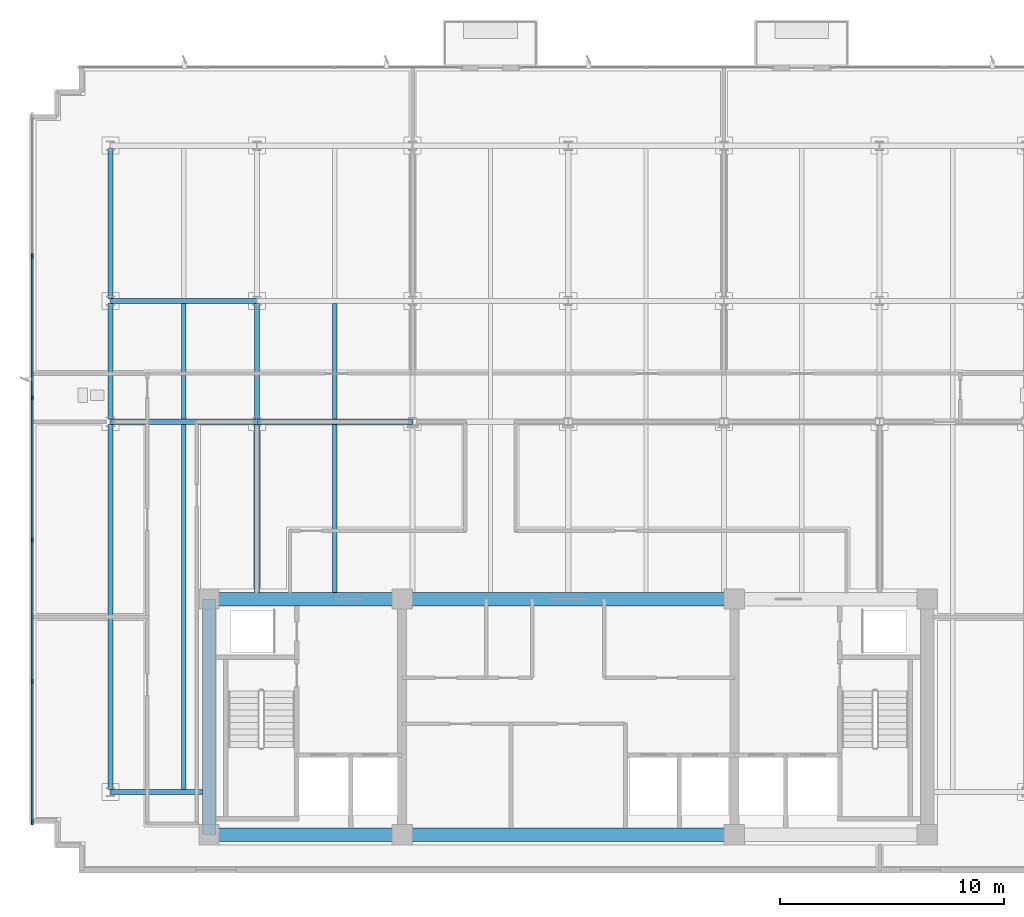
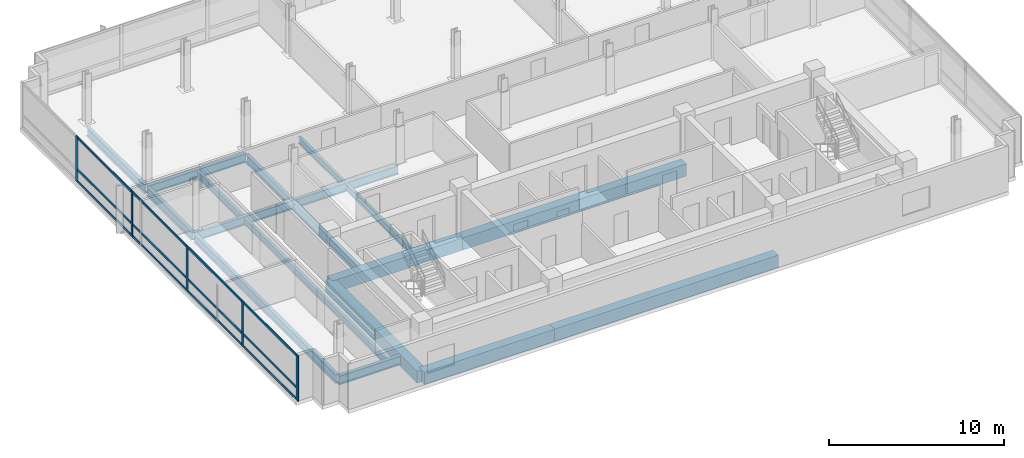
# One storey, part 2 of 15: 18 beams, 17 members, 1 element without a shape of its own.
"""IFC4 building model written with IfcOpenShell, lengths in metres."""

import ifcopenshell
import ifcopenshell.guid

model = None  # the IFC model being written
_history = None  # IfcOwnerHistory: only IFC2X3 demands one
_inside = {}  # id of a spatial element -> (the spatial element, [elements in it])
_under = {}  # id of a project, library or spatial element -> (it, [spatial elements below it])
_declared = {}  # id of a project -> (the project, [libraries it declares])
_typed = {}  # id of a type object -> (the type object, [elements of that type])
_made_of = {}  # id of a material, layer set ... -> (it, [elements and type objects made of it])


def new_model(schema):
    """Start an empty IFC model of exactly this schema.

    Asked for "IFC4X3", IfcOpenShell would pick the latest addendum, in which some entities
    have other attributes; the version numbers below select the first issue.
    IFC2X3 requires an IfcOwnerHistory on every rooted entity: one is made here for all.
    """
    global model, _history
    if schema == "IFC4X3":
        model = ifcopenshell.file(schema_version=(4, 3, 0, 0))
    else:
        model = ifcopenshell.file(schema=schema)
    _inside.clear()
    _under.clear()
    _declared.clear()
    _typed.clear()
    _made_of.clear()
    _history = None
    if model.schema == "IFC2X3":
        org = make("IfcOrganization", Name="unknown")
        user = make(
            "IfcPersonAndOrganization",
            ThePerson=make("IfcPerson", FamilyName="unknown"),
            TheOrganization=org,
        )
        app = make(
            "IfcApplication",
            ApplicationDeveloper=org,
            Version="unknown",
            ApplicationFullName="unknown",
            ApplicationIdentifier="unknown",
        )
        _history = make(
            "IfcOwnerHistory",
            OwningUser=user,
            OwningApplication=app,
            ChangeAction="ADDED",
            CreationDate=0,
        )
    return model


def make(cls, **values):
    """One entity of the class cls with the attributes given. An attribute that is None is left unset."""
    return model.create_entity(
        cls, **{name: value for name, value in values.items() if value is not None}
    )


def rooted(cls, **values):
    """An entity with a GlobalId (a new one), such as an element, a storey or a relation."""
    return make(cls, GlobalId=ifcopenshell.guid.new(), OwnerHistory=_history, **values)


def si_unit(unit_type, name, prefix=None):
    """IfcSIUnit, for example si_unit("LENGTHUNIT", "METRE", prefix="MILLI")."""
    return make("IfcSIUnit", UnitType=unit_type, Prefix=prefix, Name=name)


def assignment(units):
    """IfcUnitAssignment: the units of a project."""
    return None if units is None else make("IfcUnitAssignment", Units=units)


def point(xyz):
    """IfcCartesianPoint."""
    return None if xyz is None else make("IfcCartesianPoint", Coordinates=xyz)


def direction(xyz):
    """IfcDirection."""
    return None if xyz is None else make("IfcDirection", DirectionRatios=xyz)


def frame(location, z_axis=None, x_axis=None):
    """IfcAxis2Placement3D, a coordinate frame: its origin and axes. An axis left out is left unset."""
    return make(
        "IfcAxis2Placement3D",
        Location=point(location),
        Axis=direction(z_axis),
        RefDirection=direction(x_axis),
    )


def frame_2d(location, x_axis=None):
    """IfcAxis2Placement2D, a coordinate frame in the plane: its origin and x axis."""
    return make(
        "IfcAxis2Placement2D", Location=point(location), RefDirection=direction(x_axis)
    )


def origin():
    """The frame at (0, 0, 0) with its axes left unset."""
    return frame((0.0, 0.0, 0.0))


def origin_2d():
    """The frame at (0, 0) in the plane with its x axis left unset."""
    return frame_2d((0.0, 0.0))


def place(relative_to, where):
    """IfcLocalPlacement: puts the frame where relative to a parent placement (None: the world)."""
    return make(
        "IfcLocalPlacement", PlacementRelTo=relative_to, RelativePlacement=where
    )


def context(
    kind, dimensions, precision=None, world=None, true_north=None, identifier=None
):
    """IfcGeometricRepresentationContext, for example the 3D "Model" context."""
    return make(
        "IfcGeometricRepresentationContext",
        ContextIdentifier=identifier,
        ContextType=kind,
        CoordinateSpaceDimension=dimensions,
        Precision=precision,
        WorldCoordinateSystem=world,
        TrueNorth=true_north,
    )


def subcontext(parent, identifier, kind, view, scale=None):
    """IfcGeometricRepresentationSubContext, for example "Body" below "Model"."""
    return make(
        "IfcGeometricRepresentationSubContext",
        ContextIdentifier=identifier,
        ContextType=kind,
        ParentContext=parent,
        TargetScale=scale,
        TargetView=view,
    )


def project(units=None, contexts=None):
    """IfcProject with its units and contexts."""
    return rooted(
        "IfcProject",
        Name="project",
        RepresentationContexts=contexts,
        UnitsInContext=assignment(units),
    )


def spatial(cls, under=None, at=None, **own):
    """A site, building, storey or space (cls), placed at a placement, below another one or the project."""
    s = rooted(cls, ObjectPlacement=at, **own)
    if under is not None:
        _under.setdefault(under.id(), (under, []))[1].append(s)
    return s


def profile(cls, at=None, kind="AREA", **sizes):
    """A parametric profile (cls). Its sizes go by their IFC names, for example OverallWidth=200.0."""
    return make(cls, ProfileType=kind, Position=at, **sizes)


def rectangle(**sizes):
    """IfcRectangleProfileDef."""
    return profile("IfcRectangleProfileDef", **sizes)


def i_section(**sizes):
    """IfcIShapeProfileDef."""
    return profile("IfcIShapeProfileDef", **sizes)


def extrude(swept, where, along, depth):
    """IfcExtrudedAreaSolid: the profile swept, set in the frame where, extruded along a direction by depth."""
    return make(
        "IfcExtrudedAreaSolid",
        SweptArea=swept,
        Position=where,
        ExtrudedDirection=direction(along),
        Depth=depth,
    )


def shape(context_of_items, identifier, shape_type, items):
    """IfcShapeRepresentation: the items that make up one representation, for example the "Body"."""
    return make(
        "IfcShapeRepresentation",
        ContextOfItems=context_of_items,
        RepresentationIdentifier=identifier,
        RepresentationType=shape_type,
        Items=items,
    )


def material(Name=None, Category=None):
    """IfcMaterial."""
    return make("IfcMaterial", Name=Name, Category=Category)


def material_profile(
    of_material, cross_section, Name=None, Category=None, Priority=None
):
    """IfcMaterialProfile: a cross section and its material."""
    return make(
        "IfcMaterialProfile",
        Name=Name,
        Material=of_material,
        Profile=cross_section,
        Priority=Priority,
        Category=Category,
    )


def profile_set(profiles, Name=None, composite=None):
    """IfcMaterialProfileSet."""
    return make(
        "IfcMaterialProfileSet",
        Name=Name,
        MaterialProfiles=profiles,
        CompositeProfile=composite,
    )


def made_of(thing, what):
    """Note that an element or type object is made of a material, layer set ...; save() writes the relation."""
    if what is not None:
        _made_of.setdefault(what.id(), (what, []))[1].append(thing)
    return thing


def type_object(cls, material=None, **own):
    """A type object (cls), such as IfcWallType, which elements share."""
    return made_of(rooted(cls, **own), material)


def element(
    cls,
    number,
    at=None,
    inside=None,
    cuts=None,
    type_object=None,
    material=None,
    context=None,
    identifier="Body",
    shape_type=None,
    held_by="IfcProductDefinitionShape",
    body=None,
    shapes=None,
    **own,
):
    """One element of the class cls, such as IfcWall. Its Tag is "e" and its number.

    at: its placement. inside: the storey or other place that contains it. cuts: it is an
    opening in that element (IfcRelVoidsElement). A single representation is given by context,
    identifier, shape_type and body (its items); several are given by shapes. held_by: the class
    of the entity that holds the representations. save() writes the other relations.
    """
    e = rooted(cls, Tag="e%d" % number, ObjectPlacement=at, **own)
    if body is not None:
        shapes = [shape(context, identifier, shape_type, body)]
    if shapes is not None:
        e.Representation = make(held_by, Representations=shapes)
    if inside is not None:
        _inside.setdefault(inside.id(), (inside, []))[1].append(e)
    if cuts is not None:
        rooted(
            "IfcRelVoidsElement", RelatingBuildingElement=cuts, RelatedOpeningElement=e
        )
    if type_object is not None:
        _typed.setdefault(type_object.id(), (type_object, []))[1].append(e)
    return made_of(e, material)


def aggregate(whole, parts):
    """IfcRelAggregates: a whole, such as a stair, and the parts it consists of."""
    return rooted("IfcRelAggregates", RelatingObject=whole, RelatedObjects=parts)


def save(model, path):
    """Write the relations noted so far, then the file.

    IfcRelAggregates (storeys below a building ...), IfcRelContainedInSpatialStructure (elements
    in a storey), IfcRelDefinesByType, IfcRelAssociatesMaterial and IfcRelDeclares: one each for
    every whole, place, type object, material and project.
    """
    for whole, parts in _under.values():
        aggregate(whole, parts)
    for where, things in _inside.values():
        rooted(
            "IfcRelContainedInSpatialStructure",
            RelatedElements=things,
            RelatingStructure=where,
        )
    for kind, things in _typed.values():
        rooted("IfcRelDefinesByType", RelatedObjects=things, RelatingType=kind)
    for what, things in _made_of.values():
        rooted("IfcRelAssociatesMaterial", RelatedObjects=things, RelatingMaterial=what)
    for by, libraries in _declared.values():
        rooted("IfcRelDeclares", RelatingContext=by, RelatedDefinitions=libraries)
    model.write(path)


model = new_model("IFC4")

# Units and contexts
model_context = context("Model", 3, precision=1e-05, world=origin(), true_north=direction((0.0, 1.0)))
body_context = subcontext(model_context, "Body", "Model", "MODEL_VIEW")
ifc_project = project(units=[si_unit("LENGTHUNIT", "METRE"), si_unit("AREAUNIT", "SQUARE_METRE"), si_unit("VOLUMEUNIT", "CUBIC_METRE"), si_unit("PLANEANGLEUNIT", "RADIAN"), si_unit("MASSUNIT", "GRAM", prefix="KILO")], contexts=[model_context])

# Site, building, storey
site_placement = place(None, origin())
site = spatial("IfcSite", under=ifc_project, at=site_placement, CompositionType="ELEMENT")
building_placement = place(site_placement, origin())
building = spatial("IfcBuilding", under=site, at=building_placement, Name="Solmavex Isthmus Hotel", CompositionType="ELEMENT")
storey_placement = place(building_placement, frame((0.0, 0.0, 273.0)))
storey = spatial("IfcBuildingStorey", under=building, at=storey_placement, Name="L74", CompositionType="ELEMENT", Elevation=273.0)

# Beams
ifc_material_1 = material(Name="Steel ASTM A992 Grade 50", Category="steel")
ifc_material_profile_1 = material_profile(ifc_material_1, i_section(OverallWidth=0.1904296875, OverallDepth=0.456787109375, WebThickness=0.009033203125, FlangeThickness=0.014404296875, FilletRadius=0.0126953125, at=origin_2d()), Name="W18X50")
ifc_profile_set_1 = profile_set([ifc_material_profile_1], Name="Steel ASTM A992 Grade 50")
beam_type_1 = type_object("IfcBeamType", Name="BM-BJ-W18X50", PredefinedType="JOIST", material=ifc_profile_set_1)
beam_1_placement = place(storey_placement, frame((-17.135986328125, -10.98486328125, -0.488525390625), z_axis=(0.0, 1.0, 0.0), x_axis=(-1.0, 0.0, 0.0)))
element("IfcBeam", 1, at=beam_1_placement, inside=storey, type_object=beam_type_1, Name="Secondary Floor Joist L74-J01", PredefinedType="JOIST", context=body_context, shape_type="SweptSolid", body=[
    extrude(i_section(OverallWidth=0.1904296875, OverallDepth=0.456787109375, WebThickness=0.009033203125, FlangeThickness=0.014404296875, FilletRadius=0.0126953125, at=origin_2d()), origin(), (0.0, 0.0, 1.0), 16.27099609375),
])
beam_2_placement = place(storey_placement, frame((-17.135986328125, 5.513916015625, -0.488525390625), z_axis=(0.0, 1.0, 0.0), x_axis=(-1.0, 0.0, 0.0)))
element("IfcBeam", 2, at=beam_2_placement, inside=storey, type_object=beam_type_1, Name="Secondary Floor Joist L74-J02", PredefinedType="JOIST", context=body_context, shape_type="SweptSolid", body=[
    extrude(i_section(OverallWidth=0.1904296875, OverallDepth=0.456787109375, WebThickness=0.009033203125, FlangeThickness=0.014404296875, FilletRadius=0.0126953125, at=origin_2d()), origin(), (0.0, 0.0, 1.0), 5.16015625),
])
beam_3_placement = place(storey_placement, frame((-10.404052734375, -2.199951171875, -0.488525390625), z_axis=(0.0, 1.0, 0.0), x_axis=(-1.0, 0.0, 0.0)))
element("IfcBeam", 3, at=beam_3_placement, inside=storey, type_object=beam_type_1, Name="Secondary Floor Joist L74-J04", PredefinedType="JOIST", context=body_context, shape_type="SweptSolid", body=[
    extrude(i_section(OverallWidth=0.1904296875, OverallDepth=0.456787109375, WebThickness=0.009033203125, FlangeThickness=0.014404296875, FilletRadius=0.0126953125, at=origin_2d()), origin(), (0.0, 0.0, 1.0), 7.486083984375),
])
beam_4_placement = place(storey_placement, frame((-10.404052734375, 5.513916015625, -0.488525390625), z_axis=(0.0, 1.0, 0.0), x_axis=(-1.0, 0.0, 0.0)))
element("IfcBeam", 4, at=beam_4_placement, inside=storey, type_object=beam_type_1, Name="Secondary Floor Joist L74-J05", PredefinedType="JOIST", context=body_context, shape_type="SweptSolid", body=[
    extrude(i_section(OverallWidth=0.1904296875, OverallDepth=0.456787109375, WebThickness=0.009033203125, FlangeThickness=0.014404296875, FilletRadius=0.0126953125, at=origin_2d()), origin(), (0.0, 0.0, 1.0), 5.16015625),
])
ifc_material_profile_2 = material_profile(ifc_material_1, i_section(OverallWidth=0.227783203125, OverallDepth=0.602783203125, WebThickness=0.010498046875, FlangeThickness=0.014892578125, FilletRadius=0.01513671875, at=origin_2d()), Name="W24X68")
ifc_profile_set_2 = profile_set([ifc_material_profile_2], Name="Steel ASTM A992 Grade 50")
beam_type_2 = type_object("IfcBeamType", Name="BM-BM-W24X68", PredefinedType="BEAM", material=ifc_profile_set_2)
beam_5_placement = place(storey_placement, frame((-20.39990234375, 5.39990234375, -0.561279296875), z_axis=(1.0, 0.0, 0.0), x_axis=(0.0, 1.0, 0.0)))
element("IfcBeam", 5, at=beam_5_placement, inside=storey, type_object=beam_type_2, Name="Floor Girder L74-UG03", PredefinedType="BEAM", context=body_context, shape_type="SweptSolid", body=[
    extrude(i_section(OverallWidth=0.227783203125, OverallDepth=0.602783203125, WebThickness=0.010498046875, FlangeThickness=0.014892578125, FilletRadius=0.01513671875, at=origin_2d()), origin(), (0.0, 0.0, 1.0), 6.52783203125),
])
beam_6_placement = place(storey_placement, frame((-13.8720703125, 5.39990234375, -0.561279296875), z_axis=(1.0, 0.0, 0.0), x_axis=(0.0, 1.0, 0.0)))
element("IfcBeam", 6, at=beam_6_placement, inside=storey, type_object=beam_type_2, Name="Floor Girder L74-UG04", PredefinedType="BEAM", context=body_context, shape_type="SweptSolid", body=[
    extrude(i_section(OverallWidth=0.227783203125, OverallDepth=0.602783203125, WebThickness=0.010498046875, FlangeThickness=0.014892578125, FilletRadius=0.01513671875, at=origin_2d()), origin(), (0.0, 0.0, 1.0), 6.93603515625),
])
beam_7_placement = place(storey_placement, frame((-20.39990234375, 10.7880859375, -0.561279296875), z_axis=(1.0, 0.0, 0.0), x_axis=(0.0, 1.0, 0.0)))
element("IfcBeam", 7, at=beam_7_placement, inside=storey, type_object=beam_type_2, Name="Floor Girder L74-UG09", PredefinedType="BEAM", context=body_context, shape_type="SweptSolid", body=[
    extrude(i_section(OverallWidth=0.227783203125, OverallDepth=0.602783203125, WebThickness=0.010498046875, FlangeThickness=0.014892578125, FilletRadius=0.01513671875, at=origin_2d()), origin(), (0.0, 0.0, 1.0), 6.52783203125),
])
beam_8_placement = place(storey_placement, frame((-13.8720703125, -2.199951171875, -0.561279296875), z_axis=(0.0, 1.0, 0.0), x_axis=(-1.0, 0.0, 0.0)))
element("IfcBeam", 8, at=beam_8_placement, inside=storey, type_object=beam_type_2, Name="Floor Beam L74-VG24", PredefinedType="BEAM", context=body_context, shape_type="SweptSolid", body=[
    extrude(i_section(OverallWidth=0.227783203125, OverallDepth=0.602783203125, WebThickness=0.010498046875, FlangeThickness=0.014892578125, FilletRadius=0.01513671875, at=origin_2d()), origin(), (0.0, 0.0, 1.0), 7.486083984375),
])
beam_9_placement = place(storey_placement, frame((-13.8720703125, 5.513916015625, -0.561279296875), z_axis=(0.0, 1.0, 0.0), x_axis=(-1.0, 0.0, 0.0)))
element("IfcBeam", 9, at=beam_9_placement, inside=storey, type_object=beam_type_2, Name="Floor Beam L74-VG25", PredefinedType="BEAM", context=body_context, shape_type="SweptSolid", body=[
    extrude(i_section(OverallWidth=0.227783203125, OverallDepth=0.602783203125, WebThickness=0.010498046875, FlangeThickness=0.014892578125, FilletRadius=0.01513671875, at=origin_2d()), origin(), (0.0, 0.0, 1.0), 5.16015625),
])
ifc_material_2 = material(Name="Concrete C50/60", Category="concrete")
ifc_material_profile_3 = material_profile(ifc_material_2, rectangle(XDim=0.60009765625, YDim=0.85009765625, at=origin_2d()), Name="RC600X850")
ifc_profile_set_3 = profile_set([ifc_material_profile_3], Name="Concrete C50/60")
beam_type_3 = type_object("IfcBeamType", Name="BM-CB-600X850", PredefinedType="BEAM", material=ifc_profile_set_3)
beam_10_placement = place(storey_placement, frame((-16.0, -13.0, -0.68505859375), z_axis=(1.0, 0.0, 0.0), x_axis=(0.0, 1.0, 0.0)))
element("IfcBeam", 10, at=beam_10_placement, inside=storey, type_object=beam_type_3, Name="Core Coupling Beam L74-CB1", PredefinedType="BEAM", context=body_context, shape_type="SweptSolid", body=[
    extrude(rectangle(XDim=0.60009765625, YDim=0.85009765625, at=origin_2d()), origin(), (0.0, 0.0, 1.0), 8.60009765625),
])
beam_11_placement = place(storey_placement, frame((-7.39990234375, -13.0, -0.68505859375), z_axis=(1.0, 0.0, 0.0), x_axis=(0.0, 1.0, 0.0)))
element("IfcBeam", 11, at=beam_11_placement, inside=storey, type_object=beam_type_3, Name="Core Coupling Beam L74-CB2", PredefinedType="BEAM", context=body_context, shape_type="SweptSolid", body=[
    extrude(rectangle(XDim=0.60009765625, YDim=0.85009765625, at=origin_2d()), origin(), (0.0, 0.0, 1.0), 14.7998046875),
])
beam_12_placement = place(storey_placement, frame((-16.0, -2.5, -0.68505859375), z_axis=(1.0, 0.0, 0.0), x_axis=(0.0, 1.0, 0.0)))
element("IfcBeam", 12, at=beam_12_placement, inside=storey, type_object=beam_type_3, Name="Core Coupling Beam L74-CB4", PredefinedType="BEAM", context=body_context, shape_type="SweptSolid", body=[
    extrude(rectangle(XDim=0.60009765625, YDim=0.85009765625, at=origin_2d()), origin(), (0.0, 0.0, 1.0), 8.60009765625),
])
beam_13_placement = place(storey_placement, frame((-7.39990234375, -2.5, -0.68505859375), z_axis=(1.0, 0.0, 0.0), x_axis=(0.0, 1.0, 0.0)))
element("IfcBeam", 13, at=beam_13_placement, inside=storey, type_object=beam_type_3, Name="Core Coupling Beam L74-CB5", PredefinedType="BEAM", context=body_context, shape_type="SweptSolid", body=[
    extrude(rectangle(XDim=0.60009765625, YDim=0.85009765625, at=origin_2d()), origin(), (0.0, 0.0, 1.0), 14.7998046875),
])
beam_14_placement = place(storey_placement, frame((-16.0, -13.0, -0.68505859375), z_axis=(0.0, 1.0, 0.0), x_axis=(-1.0, 0.0, 0.0)))
element("IfcBeam", 14, at=beam_14_placement, inside=storey, type_object=beam_type_3, Name="Core Coupling Beam L74-CB7", PredefinedType="BEAM", context=body_context, shape_type="SweptSolid", body=[
    extrude(rectangle(XDim=0.60009765625, YDim=0.85009765625, at=origin_2d()), origin(), (0.0, 0.0, 1.0), 10.5),
])
ifc_material_profile_4 = material_profile(ifc_material_1, i_section(OverallWidth=0.230224609375, OverallDepth=0.617431640625, WebThickness=0.01318359375, FlangeThickness=0.022216796875, FilletRadius=0.01513671875, at=origin_2d()), Name="W24X94")
ifc_profile_set_4 = profile_set([ifc_material_profile_4], Name="Steel ASTM A992 Grade 50")
beam_type_4 = type_object("IfcBeamType", Name="BM-SP-W24X94", PredefinedType="SPANDREL", material=ifc_profile_set_4)
beam_15_placement = place(storey_placement, frame((-20.39990234375, -11.10009765625, -0.56884765625), z_axis=(1.0, 0.0, 0.0), x_axis=(0.0, 1.0, 0.0)))
element("IfcBeam", 15, at=beam_15_placement, inside=storey, type_object=beam_type_4, Name="Floor Girder L74-UG01", PredefinedType="SPANDREL", context=body_context, shape_type="SweptSolid", body=[
    extrude(i_section(OverallWidth=0.230224609375, OverallDepth=0.617431640625, WebThickness=0.01318359375, FlangeThickness=0.022216796875, FilletRadius=0.01513671875, at=origin_2d()), origin(), (0.0, 0.0, 1.0), 4.099853515625),
])
beam_16_placement = place(storey_placement, frame((-20.39990234375, -10.98486328125, -0.56884765625), z_axis=(0.0, 1.0, 0.0), x_axis=(-1.0, 0.0, 0.0)))
element("IfcBeam", 16, at=beam_16_placement, inside=storey, type_object=beam_type_4, Name="Floor Beam L74-VG21", PredefinedType="SPANDREL", context=body_context, shape_type="SweptSolid", body=[
    extrude(i_section(OverallWidth=0.230224609375, OverallDepth=0.617431640625, WebThickness=0.01318359375, FlangeThickness=0.022216796875, FilletRadius=0.01513671875, at=origin_2d()), origin(), (0.0, 0.0, 1.0), 16.27099609375),
])
beam_17_placement = place(storey_placement, frame((-20.39990234375, 5.513916015625, -0.56884765625), z_axis=(0.0, 1.0, 0.0), x_axis=(-1.0, 0.0, 0.0)))
element("IfcBeam", 17, at=beam_17_placement, inside=storey, type_object=beam_type_4, Name="Floor Beam L74-VG22", PredefinedType="SPANDREL", context=body_context, shape_type="SweptSolid", body=[
    extrude(i_section(OverallWidth=0.230224609375, OverallDepth=0.617431640625, WebThickness=0.01318359375, FlangeThickness=0.022216796875, FilletRadius=0.01513671875, at=origin_2d()), origin(), (0.0, 0.0, 1.0), 5.16015625),
])
beam_18_placement = place(storey_placement, frame((-20.39990234375, 10.90185546875, -0.56884765625), z_axis=(0.0, 1.0, 0.0), x_axis=(-1.0, 0.0, 0.0)))
element("IfcBeam", 18, at=beam_18_placement, inside=storey, type_object=beam_type_4, Name="Floor Beam L74-VG23", PredefinedType="SPANDREL", context=body_context, shape_type="SweptSolid", body=[
    extrude(i_section(OverallWidth=0.230224609375, OverallDepth=0.617431640625, WebThickness=0.01318359375, FlangeThickness=0.022216796875, FilletRadius=0.01513671875, at=origin_2d()), origin(), (0.0, 0.0, 1.0), 6.682861328125),
])

# Curtain wall, members
ifc_material_3 = material(Name="Aluminium alloy 6063-T6", Category="aluminium")
curtain_wall_type = type_object("IfcCurtainWallType", Name="CW-SYS-04", PredefinedType="NOTDEFINED", material=ifc_material_3)
curtain_wall_placement = place(storey_placement, origin())
curtain_wall = element("IfcCurtainWall", 19, at=curtain_wall_placement, inside=storey, type_object=curtain_wall_type, Name="Stick Curtain Wall CWL-L74-W1", PredefinedType="NOTDEFINED")
ifc_material_profile_5 = material_profile(ifc_material_3, rectangle(XDim=0.074951171875, YDim=0.199951171875, at=origin_2d()), Name="CWM-75X200")
ifc_profile_set_5 = profile_set([ifc_material_profile_5], Name="Aluminium alloy 6063-T6")
member_type_1 = type_object("IfcMemberType", Name="CW-SYS-04-MUL", PredefinedType="MULLION", material=ifc_profile_set_5)
member_1_placement = place(storey_placement, frame((-23.8798828125, -12.46240234375, 0.0), z_axis=(0.0, 0.0, 1.0), x_axis=(-1.0, 0.0, 0.0)))
member_1 = element("IfcMember", 20, at=member_1_placement, type_object=member_type_1, Name="CW-04 mullion 1", PredefinedType="MULLION", context=body_context, shape_type="SweptSolid", body=[
    extrude(rectangle(XDim=0.074951171875, YDim=0.199951171875, at=origin_2d()), origin(), (0.0, 0.0, 1.0), 3.18994140625),
])
member_2_placement = place(storey_placement, frame((-23.8798828125, -6.179931640625, 0.0), z_axis=(0.0, 0.0, 1.0), x_axis=(-1.0, 0.0, 0.0)))
member_2 = element("IfcMember", 21, at=member_2_placement, type_object=member_type_1, Name="CW-04 mullion 2", PredefinedType="MULLION", context=body_context, shape_type="SweptSolid", body=[
    extrude(rectangle(XDim=0.074951171875, YDim=0.199951171875, at=origin_2d()), origin(), (0.0, 0.0, 1.0), 3.18994140625),
])
member_3_placement = place(storey_placement, frame((-23.8798828125, 0.139892578125, 0.0), z_axis=(0.0, 0.0, 1.0), x_axis=(-1.0, 0.0, 0.0)))
member_3 = element("IfcMember", 22, at=member_3_placement, type_object=member_type_1, Name="CW-04 mullion 3", PredefinedType="MULLION", context=body_context, shape_type="SweptSolid", body=[
    extrude(rectangle(XDim=0.074951171875, YDim=0.199951171875, at=origin_2d()), origin(), (0.0, 0.0, 1.0), 3.18994140625),
])
member_4_placement = place(storey_placement, frame((-23.8798828125, 6.4599609375, 0.0), z_axis=(0.0, 0.0, 1.0), x_axis=(-1.0, 0.0, 0.0)))
member_4 = element("IfcMember", 23, at=member_4_placement, type_object=member_type_1, Name="CW-04 mullion 4", PredefinedType="MULLION", context=body_context, shape_type="SweptSolid", body=[
    extrude(rectangle(XDim=0.074951171875, YDim=0.199951171875, at=origin_2d()), origin(), (0.0, 0.0, 1.0), 3.18994140625),
])
member_5_placement = place(storey_placement, frame((-23.8798828125, 12.780029296875, 0.0), z_axis=(0.0, 0.0, 1.0), x_axis=(-1.0, 0.0, 0.0)))
member_5 = element("IfcMember", 24, at=member_5_placement, type_object=member_type_1, Name="CW-04 mullion 5", PredefinedType="MULLION", context=body_context, shape_type="SweptSolid", body=[
    extrude(rectangle(XDim=0.074951171875, YDim=0.199951171875, at=origin_2d()), origin(), (0.0, 0.0, 1.0), 3.18994140625),
])
ifc_material_profile_6 = material_profile(ifc_material_3, rectangle(XDim=0.074951171875, YDim=0.14990234375, at=origin_2d()), Name="CWT-75X150")
ifc_profile_set_6 = profile_set([ifc_material_profile_6], Name="Aluminium alloy 6063-T6")
member_type_2 = type_object("IfcMemberType", Name="CW-SYS-04-TRN", PredefinedType="USERDEFINED", material=ifc_profile_set_6)
member_6_placement = place(storey_placement, frame((-23.8798828125, -12.425048828125, 0.074951171875), z_axis=(0.0, 1.0, 0.0), x_axis=(-1.0, 0.0, 0.0)))
member_6 = element("IfcMember", 25, at=member_6_placement, type_object=member_type_2, Name="CW-04 transom 1.1", ObjectType="TRANSOM", PredefinedType="USERDEFINED", context=body_context, shape_type="SweptSolid", body=[
    extrude(rectangle(XDim=0.074951171875, YDim=0.14990234375, at=origin_2d()), origin(), (0.0, 0.0, 1.0), 6.20751953125),
])
member_7_placement = place(storey_placement, frame((-23.8798828125, -12.425048828125, 0.89990234375), z_axis=(0.0, 1.0, 0.0), x_axis=(-1.0, 0.0, 0.0)))
member_7 = element("IfcMember", 26, at=member_7_placement, type_object=member_type_2, Name="CW-04 transom 1.2", ObjectType="TRANSOM", PredefinedType="USERDEFINED", context=body_context, shape_type="SweptSolid", body=[
    extrude(rectangle(XDim=0.074951171875, YDim=0.14990234375, at=origin_2d()), origin(), (0.0, 0.0, 1.0), 6.20751953125),
])
member_8_placement = place(storey_placement, frame((-23.8798828125, -12.425048828125, 3.114990234375), z_axis=(0.0, 1.0, 0.0), x_axis=(-1.0, 0.0, 0.0)))
member_8 = element("IfcMember", 27, at=member_8_placement, type_object=member_type_2, Name="CW-04 transom 1.3", ObjectType="TRANSOM", PredefinedType="USERDEFINED", context=body_context, shape_type="SweptSolid", body=[
    extrude(rectangle(XDim=0.074951171875, YDim=0.14990234375, at=origin_2d()), origin(), (0.0, 0.0, 1.0), 6.20751953125),
])
member_9_placement = place(storey_placement, frame((-23.8798828125, -6.142578125, 0.074951171875), z_axis=(0.0, 1.0, 0.0), x_axis=(-1.0, 0.0, 0.0)))
member_9 = element("IfcMember", 28, at=member_9_placement, type_object=member_type_2, Name="CW-04 transom 2.1", ObjectType="TRANSOM", PredefinedType="USERDEFINED", context=body_context, shape_type="SweptSolid", body=[
    extrude(rectangle(XDim=0.074951171875, YDim=0.14990234375, at=origin_2d()), origin(), (0.0, 0.0, 1.0), 6.2451171875),
])
member_10_placement = place(storey_placement, frame((-23.8798828125, -6.142578125, 0.89990234375), z_axis=(0.0, 1.0, 0.0), x_axis=(-1.0, 0.0, 0.0)))
member_10 = element("IfcMember", 29, at=member_10_placement, type_object=member_type_2, Name="CW-04 transom 2.2", ObjectType="TRANSOM", PredefinedType="USERDEFINED", context=body_context, shape_type="SweptSolid", body=[
    extrude(rectangle(XDim=0.074951171875, YDim=0.14990234375, at=origin_2d()), origin(), (0.0, 0.0, 1.0), 6.2451171875),
])
member_11_placement = place(storey_placement, frame((-23.8798828125, -6.142578125, 3.114990234375), z_axis=(0.0, 1.0, 0.0), x_axis=(-1.0, 0.0, 0.0)))
member_11 = element("IfcMember", 30, at=member_11_placement, type_object=member_type_2, Name="CW-04 transom 2.3", ObjectType="TRANSOM", PredefinedType="USERDEFINED", context=body_context, shape_type="SweptSolid", body=[
    extrude(rectangle(XDim=0.074951171875, YDim=0.14990234375, at=origin_2d()), origin(), (0.0, 0.0, 1.0), 6.2451171875),
])
member_12_placement = place(storey_placement, frame((-23.8798828125, 0.177490234375, 0.074951171875), z_axis=(0.0, 1.0, 0.0), x_axis=(-1.0, 0.0, 0.0)))
member_12 = element("IfcMember", 31, at=member_12_placement, type_object=member_type_2, Name="CW-04 transom 3.1", ObjectType="TRANSOM", PredefinedType="USERDEFINED", context=body_context, shape_type="SweptSolid", body=[
    extrude(rectangle(XDim=0.074951171875, YDim=0.14990234375, at=origin_2d()), origin(), (0.0, 0.0, 1.0), 6.2451171875),
])
member_13_placement = place(storey_placement, frame((-23.8798828125, 0.177490234375, 0.89990234375), z_axis=(0.0, 1.0, 0.0), x_axis=(-1.0, 0.0, 0.0)))
member_13 = element("IfcMember", 32, at=member_13_placement, type_object=member_type_2, Name="CW-04 transom 3.2", ObjectType="TRANSOM", PredefinedType="USERDEFINED", context=body_context, shape_type="SweptSolid", body=[
    extrude(rectangle(XDim=0.074951171875, YDim=0.14990234375, at=origin_2d()), origin(), (0.0, 0.0, 1.0), 6.2451171875),
])
member_14_placement = place(storey_placement, frame((-23.8798828125, 0.177490234375, 3.114990234375), z_axis=(0.0, 1.0, 0.0), x_axis=(-1.0, 0.0, 0.0)))
member_14 = element("IfcMember", 33, at=member_14_placement, type_object=member_type_2, Name="CW-04 transom 3.3", ObjectType="TRANSOM", PredefinedType="USERDEFINED", context=body_context, shape_type="SweptSolid", body=[
    extrude(rectangle(XDim=0.074951171875, YDim=0.14990234375, at=origin_2d()), origin(), (0.0, 0.0, 1.0), 6.2451171875),
])
member_15_placement = place(storey_placement, frame((-23.8798828125, 6.49755859375, 0.074951171875), z_axis=(0.0, 1.0, 0.0), x_axis=(-1.0, 0.0, 0.0)))
member_15 = element("IfcMember", 34, at=member_15_placement, type_object=member_type_2, Name="CW-04 transom 4.1", ObjectType="TRANSOM", PredefinedType="USERDEFINED", context=body_context, shape_type="SweptSolid", body=[
    extrude(rectangle(XDim=0.074951171875, YDim=0.14990234375, at=origin_2d()), origin(), (0.0, 0.0, 1.0), 6.244873046875),
])
member_16_placement = place(storey_placement, frame((-23.8798828125, 6.49755859375, 0.89990234375), z_axis=(0.0, 1.0, 0.0), x_axis=(-1.0, 0.0, 0.0)))
member_16 = element("IfcMember", 35, at=member_16_placement, type_object=member_type_2, Name="CW-04 transom 4.2", ObjectType="TRANSOM", PredefinedType="USERDEFINED", context=body_context, shape_type="SweptSolid", body=[
    extrude(rectangle(XDim=0.074951171875, YDim=0.14990234375, at=origin_2d()), origin(), (0.0, 0.0, 1.0), 6.244873046875),
])
member_17_placement = place(storey_placement, frame((-23.8798828125, 6.49755859375, 3.114990234375), z_axis=(0.0, 1.0, 0.0), x_axis=(-1.0, 0.0, 0.0)))
member_17 = element("IfcMember", 36, at=member_17_placement, type_object=member_type_2, Name="CW-04 transom 4.3", ObjectType="TRANSOM", PredefinedType="USERDEFINED", context=body_context, shape_type="SweptSolid", body=[
    extrude(rectangle(XDim=0.074951171875, YDim=0.14990234375, at=origin_2d()), origin(), (0.0, 0.0, 1.0), 6.244873046875),
])
aggregate(curtain_wall, [member_1, member_2, member_3, member_4, member_5, member_6, member_7, member_8, member_9, member_10, member_11, member_12, member_13, member_14, member_15, member_16, member_17])

save(model, "model.ifc")
